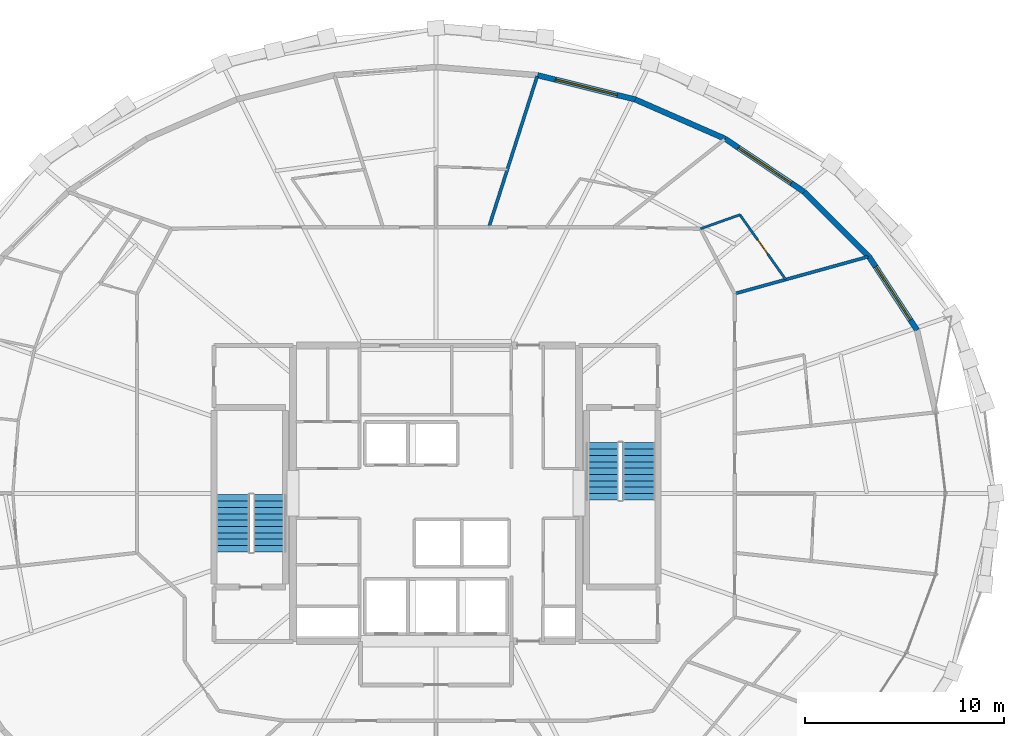
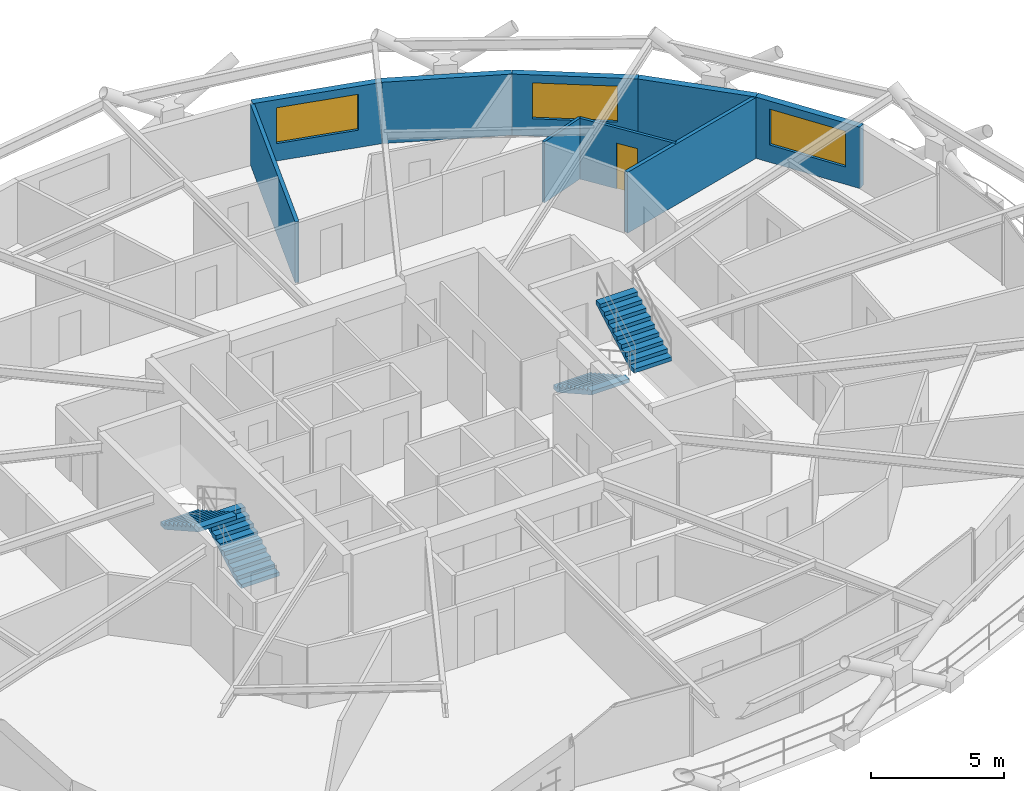
# One storey, part 18 of 19: 9 walls, 4 stair flights, 3 windows, 1 door, 4 openings, 2 elements without a shape of their own.
"""IFC4 building model written with IfcOpenShell, lengths in metres."""

from ifc_helpers import new_model, si_unit, direction, frame, frame_2d, origin, place, context, subcontext, project, spatial, polyline, rectangle, outline, extrude, material, layer, layer_set, type_object, element, fill, aggregate, save


model = new_model("IFC4")

# Units and contexts
model_context = context("Model", 3, precision=1e-05, world=origin(), true_north=direction((0.0, 1.0)))
body_context = subcontext(model_context, "Body", "Model", "MODEL_VIEW")
ifc_project = project(units=[si_unit("LENGTHUNIT", "METRE"), si_unit("AREAUNIT", "SQUARE_METRE"), si_unit("VOLUMEUNIT", "CUBIC_METRE"), si_unit("PLANEANGLEUNIT", "RADIAN"), si_unit("MASSUNIT", "GRAM", prefix="KILO")], contexts=[model_context])

# Site, building, storey
site_placement = place(None, origin())
site = spatial("IfcSite", under=ifc_project, at=site_placement, CompositionType="ELEMENT")
building_placement = place(site_placement, origin())
building = spatial("IfcBuilding", under=site, at=building_placement, Name="Veldorina Hangang Commons", CompositionType="ELEMENT")
storey_placement = place(building_placement, frame((0.0, 0.0, 160.39990234375)))
storey = spatial("IfcBuildingStorey", under=building, at=storey_placement, Name="L41", CompositionType="ELEMENT", Elevation=160.39990234375)

# Wall, opening, window
ifc_material_1 = material(Name="Stone Roman Travertine", Category="masonry")
ifc_layer_1 = layer(ifc_material_1, 0.280029296875)
ifc_layer_set_1 = layer_set([ifc_layer_1], Name="Stone Roman Travertine")
wall_type_1 = type_object("IfcWallType", Name="EW-TRAV-280", PredefinedType="STANDARD", material=ifc_layer_set_1)
wall_1_placement = place(storey_placement, frame((56.232421875, 32.217041015625, 0.0), z_axis=(0.0, 0.0, 1.0), x_axis=(-0.546719569092, 0.837315778409, 0.0)))
wall_1 = element("IfcWall", 1, at=wall_1_placement, inside=storey, type_object=wall_type_1, Name="L41 travertine facade wall 02", PredefinedType="STANDARD", context=body_context, shape_type="SweptSolid", body=[
    extrude(rectangle(XDim=4.433349609375, YDim=0.280029296875, at=frame_2d((2.216796875, 0.0))), origin(), (0.0, 0.0, 1.0), 2.820068359375),
])
opening_1_placement = place(wall_1_placement, frame((0.61669921875, 0.0, 0.800048828125)))
opening_1 = element("IfcOpeningElement", 2, at=opening_1_placement, cuts=wall_1, Name="Opening W-01", PredefinedType="OPENING", context=body_context, shape_type="SweptSolid", body=[
    extrude(rectangle(XDim=3.199951171875, YDim=1.64990234375, at=frame_2d((1.60009765625, 0.824951171875))), frame((0.0, 0.14990234375, 0.0), z_axis=(0.0, -1.0, 0.0), x_axis=(1.0, 0.0, 0.0)), (0.0, 0.0, 1.0), 0.300048828125),
])
ifc_material_2 = material(Name="Glass Low-E Triple IGU", Category="glass")
window_type = type_object("IfcWindowType", Name="WIN-TWR-3200", PartitioningType="SINGLE_PANEL", PredefinedType="WINDOW", material=ifc_material_2)
window_1_placement = place(opening_1_placement, origin())
window_1 = element("IfcWindow", 3, at=window_1_placement, inside=storey, type_object=window_type, Name="L41 facade window 02", OverallHeight=1.64990234375, OverallWidth=3.199951171875, PartitioningType="SINGLE_PANEL", PredefinedType="WINDOW", context=body_context, shape_type="SweptSolid", body=[
    extrude(rectangle(XDim=3.199951171875, YDim=1.64990234375, at=frame_2d((1.60009765625, 0.824951171875))), frame((0.0, 0.030029296875, 0.0), z_axis=(0.0, -1.0, 0.0), x_axis=(1.0, 0.0, 0.0)), (0.0, 0.0, 1.0), 0.06005859375),
])
fill(opening_1, window_1)

# Wall
wall_2_placement = place(storey_placement, frame((53.80859375, 35.92919921875, 0.0), z_axis=(0.0, 0.0, 1.0), x_axis=(-0.707980552396, 0.706231928922, 0.0)))
element("IfcWall", 4, at=wall_2_placement, inside=storey, type_object=wall_type_1, Name="L41 travertine facade wall 03", PredefinedType="STANDARD", context=body_context, shape_type="SweptSolid", body=[
    extrude(rectangle(XDim=4.607421875, YDim=0.280029296875, at=frame_2d((2.3037109375, 0.0))), origin(), (0.0, 0.0, 1.0), 2.820068359375),
])

# Wall, opening, window
wall_3_placement = place(storey_placement, frame((50.546630859375, 39.18310546875, 0.0), z_axis=(0.0, 0.0, 1.0), x_axis=(-0.830052550014, 0.557685183787, 0.0)))
wall_3 = element("IfcWall", 5, at=wall_3_placement, inside=storey, type_object=wall_type_1, Name="L41 travertine facade wall 04", PredefinedType="STANDARD", context=body_context, shape_type="SweptSolid", body=[
    extrude(rectangle(XDim=4.788330078125, YDim=0.280029296875, at=frame_2d((2.39404296875, 0.0))), origin(), (0.0, 0.0, 1.0), 2.820068359375),
])
opening_2_placement = place(wall_3_placement, frame((0.794189453125, 0.0, 0.800048828125)))
opening_2 = element("IfcOpeningElement", 6, at=opening_2_placement, cuts=wall_3, Name="Opening W-01", PredefinedType="OPENING", context=body_context, shape_type="SweptSolid", body=[
    extrude(rectangle(XDim=3.199951171875, YDim=1.64990234375, at=frame_2d((1.60009765625, 0.824951171875))), frame((0.0, 0.14990234375, 0.0), z_axis=(0.0, -1.0, 0.0), x_axis=(1.0, 0.0, 0.0)), (0.0, 0.0, 1.0), 0.300048828125),
])
window_2_placement = place(opening_2_placement, origin())
window_2 = element("IfcWindow", 7, at=window_2_placement, inside=storey, type_object=window_type, Name="L41 facade window 04", OverallHeight=1.64990234375, OverallWidth=3.199951171875, PartitioningType="SINGLE_PANEL", PredefinedType="WINDOW", context=body_context, shape_type="SweptSolid", body=[
    extrude(rectangle(XDim=3.199951171875, YDim=1.64990234375, at=frame_2d((1.60009765625, 0.824951171875))), frame((0.0, 0.030029296875, 0.0), z_axis=(0.0, -1.0, 0.0), x_axis=(1.0, 0.0, 0.0)), (0.0, 0.0, 1.0), 0.06005859375),
])
fill(opening_2, window_2)

# Wall
wall_4_placement = place(storey_placement, frame((46.572021484375, 41.853515625, 0.0), z_axis=(0.0, 0.0, 1.0), x_axis=(-0.916141485862, 0.400855058447, 0.0)))
element("IfcWall", 8, at=wall_4_placement, inside=storey, type_object=wall_type_1, Name="L41 travertine facade wall 05", PredefinedType="STANDARD", context=body_context, shape_type="SweptSolid", body=[
    extrude(rectangle(XDim=4.94970703125, YDim=0.280029296875, at=frame_2d((2.474853515625, 0.0))), origin(), (0.0, 0.0, 1.0), 2.820068359375),
])

# Wall, opening, window
wall_5_placement = place(storey_placement, frame((42.037353515625, 43.837646484375, 0.0), z_axis=(0.0, 0.0, 1.0), x_axis=(-0.970520888712, 0.241017021336, 0.0)))
wall_5 = element("IfcWall", 9, at=wall_5_placement, inside=storey, type_object=wall_type_1, Name="L41 travertine facade wall 06", PredefinedType="STANDARD", context=body_context, shape_type="SweptSolid", body=[
    extrude(rectangle(XDim=5.06982421875, YDim=0.280029296875, at=frame_2d((2.534912109375, 0.0))), origin(), (0.0, 0.0, 1.0), 2.820068359375),
])
opening_3_placement = place(wall_5_placement, frame((0.934814453125, 0.0, 0.800048828125)))
opening_3 = element("IfcOpeningElement", 10, at=opening_3_placement, cuts=wall_5, Name="Opening W-01", PredefinedType="OPENING", context=body_context, shape_type="SweptSolid", body=[
    extrude(rectangle(XDim=3.199951171875, YDim=1.64990234375, at=frame_2d((1.60009765625, 0.824951171875))), frame((0.0, 0.14990234375, 0.0), z_axis=(0.0, -1.0, 0.0), x_axis=(1.0, 0.0, 0.0)), (0.0, 0.0, 1.0), 0.300048828125),
])
window_3_placement = place(opening_3_placement, origin())
window_3 = element("IfcWindow", 11, at=window_3_placement, inside=storey, type_object=window_type, Name="L41 facade window 06", OverallHeight=1.64990234375, OverallWidth=3.199951171875, PartitioningType="SINGLE_PANEL", PredefinedType="WINDOW", context=body_context, shape_type="SweptSolid", body=[
    extrude(rectangle(XDim=3.199951171875, YDim=1.64990234375, at=frame_2d((1.60009765625, 0.824951171875))), frame((0.0, 0.030029296875, 0.0), z_axis=(0.0, -1.0, 0.0), x_axis=(1.0, 0.0, 0.0)), (0.0, 0.0, 1.0), 0.06005859375),
])
fill(opening_3, window_3)

# Walls
ifc_material_3 = material(Name="Gypsum Fire-Rated Twin Stud Wall", Category="gypsum")
ifc_layer_2 = layer(ifc_material_3, 0.159912109375)
ifc_layer_set_2 = layer_set([ifc_layer_2], Name="Gypsum Fire-Rated Twin Stud Wall")
wall_type_2 = type_object("IfcWallType", Name="WL-FIRE-160", PredefinedType="SOLIDWALL", material=ifc_layer_set_2)
wall_6_placement = place(storey_placement, frame((47.050048828125, 34.05615234375, 0.0), z_axis=(0.0, 0.0, 1.0), x_axis=(0.963668952893, 0.267099511848, 0.0)))
element("IfcWall", 12, at=wall_6_placement, inside=storey, type_object=wall_type_2, Name="L41 Unit party wall 03 093", PredefinedType="SOLIDWALL", context=body_context, shape_type="SweptSolid", body=[
    extrude(rectangle(XDim=6.963134765625, YDim=0.159912109375, at=frame_2d((3.4814453125, 0.0))), origin(), (0.0, 0.0, 1.0), 2.800048828125),
])
wall_7_placement = place(storey_placement, frame((34.665283203125, 37.39990234375, 0.0), z_axis=(0.0, 0.0, 1.0), x_axis=(0.304851094137, 0.952400026461, 0.0)))
element("IfcWall", 13, at=wall_7_placement, inside=storey, type_object=wall_type_2, Name="L41 Unit party wall 07 099", PredefinedType="SOLIDWALL", context=body_context, shape_type="SweptSolid", body=[
    extrude(rectangle(XDim=7.992431640625, YDim=0.159912109375, at=frame_2d((3.99609375, 0.0))), origin(), (0.0, 0.0, 1.0), 2.800048828125),
])

# Wall, opening, door
ifc_material_4 = material(Name="Gypsum Acoustic Stud Partition", Category="gypsum")
ifc_layer_3 = layer(ifc_material_4, 0.1201171875)
ifc_layer_set_3 = layer_set([ifc_layer_3], Name="Gypsum Acoustic Stud Partition")
wall_type_3 = type_object("IfcWallType", Name="WL-PART-120", PredefinedType="PARTITIONING", material=ifc_layer_set_3)
wall_8_placement = place(storey_placement, frame((49.6181640625, 34.767822265625, 0.0), z_axis=(0.0, 0.0, 1.0), x_axis=(-0.577627537934, 0.816300451684, 0.0)))
wall_8 = element("IfcWall", 14, at=wall_8_placement, inside=storey, type_object=wall_type_3, Name="L41 Studio 5 bath front wall 094", PredefinedType="PARTITIONING", context=body_context, shape_type="SweptSolid", body=[
    extrude(rectangle(XDim=3.99755859375, YDim=0.1201171875, at=frame_2d((1.998779296875, 0.0))), origin(), (0.0, 0.0, 1.0), 2.800048828125),
])
opening_4_placement = place(wall_8_placement, frame((1.56884765625, 0.0, 0.0)))
opening_4 = element("IfcOpeningElement", 15, at=opening_4_placement, cuts=wall_8, Name="Opening D-01", PredefinedType="OPENING", context=body_context, shape_type="SweptSolid", body=[
    extrude(rectangle(XDim=0.860107421875, YDim=2.10009765625, at=frame_2d((0.43017578125, 1.050048828125))), frame((0.0, 0.070068359375, 0.0), z_axis=(0.0, -1.0, 0.0), x_axis=(1.0, 0.0, 0.0)), (0.0, 0.0, 1.0), 0.14013671875),
])
ifc_material_5 = material(Name="Timber Moisture-Resistant Core", Category="wood")
door_type = type_object("IfcDoorType", Name="DR-WET-860", OperationType="SINGLE_SWING_LEFT", PredefinedType="DOOR", material=ifc_material_5)
door_placement = place(opening_4_placement, origin())
door = element("IfcDoor", 16, at=door_placement, inside=storey, type_object=door_type, Name="L41 Studio 5 bathroom door 028", OperationType="SINGLE_SWING_RIGHT", OverallHeight=2.10009765625, OverallWidth=0.860107421875, PredefinedType="DOOR", context=body_context, shape_type="SweptSolid", body=[
    extrude(rectangle(XDim=0.860107421875, YDim=2.10009765625, at=frame_2d((0.43017578125, 1.050048828125))), frame((0.0, 0.02490234375, 0.0), z_axis=(0.0, -1.0, 0.0), x_axis=(1.0, 0.0, 0.0)), (0.0, 0.0, 1.0), 0.050048828125),
])
fill(opening_4, door)

# Wall
wall_9_placement = place(storey_placement, frame((45.324951171875, 37.324951171875, 0.0), z_axis=(0.0, 0.0, 1.0), x_axis=(0.942126837069, 0.335256652246, 0.0)))
element("IfcWall", 17, at=wall_9_placement, inside=storey, type_object=wall_type_3, Name="L41 Studio 5 bath side wall 095", PredefinedType="PARTITIONING", context=body_context, shape_type="SweptSolid", body=[
    extrude(rectangle(XDim=2.10595703125, YDim=0.1201171875, at=frame_2d((1.052978515625, 0.0))), origin(), (0.0, 0.0, 1.0), 2.800048828125),
])

# Stair, stair flights
ifc_material_6 = material(Name="Concrete C40/50", Category="concrete")
stair_type = type_object("IfcStairType", Name="STR-DOG-1650-20R", PredefinedType="HALF_TURN_STAIR", material=ifc_material_6)
stair_1_placement = place(storey_placement, origin())
stair_1 = element("IfcStair", 18, at=stair_1_placement, inside=storey, type_object=stair_type, Name="L41 Exit stair ST-1", PredefinedType="HALF_TURN_STAIR")
stair_flight_type = type_object("IfcStairFlightType", Name="SFL-STR-1650-20R", PredefinedType="STRAIGHT", material=ifc_material_6)
stair_flight_1_placement = place(storey_placement, frame((23.625, 21.050048828125, 0.0), z_axis=(0.0, 0.0, 1.0), x_axis=(0.0, 1.0, 0.0)))
stair_flight_1 = element("IfcStairFlight", 19, at=stair_flight_1_placement, type_object=stair_flight_type, Name="ST-1 flight 1", NumberOfRisers=10, NumberOfTreads=9, PredefinedType="STRAIGHT", RiserHeight=0.18, TreadLength=0.32, context=body_context, shape_type="SweptSolid", body=[
    extrude(outline(polyline([(0.0, 0.0), (0.0, 0.179931640625), (0.320068359375, 0.179931640625), (0.320068359375, 0.360107421875), (0.639892578125, 0.360107421875), (0.639892578125, 0.5400390625), (0.9599609375, 0.5400390625), (0.9599609375, 0.719970703125), (1.280029296875, 0.719970703125), (1.280029296875, 0.89990234375), (1.60009765625, 0.89990234375), (1.60009765625, 1.080078125), (1.919921875, 1.080078125), (1.919921875, 1.260009765625), (2.239990234375, 1.260009765625), (2.239990234375, 1.43994140625), (2.56005859375, 1.43994140625), (2.56005859375, 1.6201171875), (2.8798828125, 1.6201171875), (2.8798828125, 1.800048828125), (2.8798828125, 1.447998046875), (0.3056640625, 0.0), (0.0, 0.0)])), frame((0.0, 0.824951171875, 0.0), z_axis=(0.0, -1.0, 0.0), x_axis=(1.0, 0.0, 0.0)), (0.0, 0.0, 1.0), 1.64990234375),
])
stair_flight_2_placement = place(storey_placement, frame((21.77490234375, 23.929931640625, 1.800048828125), z_axis=(0.0, 0.0, 1.0), x_axis=(0.0, -1.0, 0.0)))
stair_flight_2 = element("IfcStairFlight", 20, at=stair_flight_2_placement, type_object=stair_flight_type, Name="ST-1 flight 2", NumberOfRisers=10, NumberOfTreads=9, PredefinedType="STRAIGHT", RiserHeight=0.18, TreadLength=0.32, context=body_context, shape_type="SweptSolid", body=[
    extrude(outline(polyline([(0.0, 0.0), (0.0, 0.179931640625), (0.320068359375, 0.179931640625), (0.320068359375, 0.360107421875), (0.639892578125, 0.360107421875), (0.639892578125, 0.5400390625), (0.9599609375, 0.5400390625), (0.9599609375, 0.719970703125), (1.280029296875, 0.719970703125), (1.280029296875, 0.89990234375), (1.60009765625, 0.89990234375), (1.60009765625, 1.080078125), (1.919921875, 1.080078125), (1.919921875, 1.260009765625), (2.239990234375, 1.260009765625), (2.239990234375, 1.43994140625), (2.56005859375, 1.43994140625), (2.56005859375, 1.6201171875), (2.8798828125, 1.6201171875), (2.8798828125, 1.800048828125), (2.8798828125, 1.447998046875), (0.3056640625, 0.0), (0.0, 0.0)])), frame((0.0, 0.824951171875, 0.0), z_axis=(0.0, -1.0, 0.0), x_axis=(1.0, 0.0, 0.0)), (0.0, 0.0, 1.0), 1.64990234375),
])
aggregate(stair_1, [stair_flight_1, stair_flight_2])

stair_2_placement = place(storey_placement, origin())
stair_2 = element("IfcStair", 21, at=stair_2_placement, inside=storey, type_object=stair_type, Name="L41 Exit stair ST-2", PredefinedType="HALF_TURN_STAIR")
stair_flight_3_placement = place(storey_placement, frame((40.375, 26.550048828125, 0.0), z_axis=(0.0, 0.0, 1.0), x_axis=(0.0, -1.0, 0.0)))
stair_flight_3 = element("IfcStairFlight", 22, at=stair_flight_3_placement, type_object=stair_flight_type, Name="ST-2 flight 1", NumberOfRisers=10, NumberOfTreads=9, PredefinedType="STRAIGHT", RiserHeight=0.18, TreadLength=0.32, context=body_context, shape_type="SweptSolid", body=[
    extrude(outline(polyline([(0.0, 0.0), (0.0, 0.179931640625), (0.320068359375, 0.179931640625), (0.320068359375, 0.360107421875), (0.639892578125, 0.360107421875), (0.639892578125, 0.5400390625), (0.9599609375, 0.5400390625), (0.9599609375, 0.719970703125), (1.280029296875, 0.719970703125), (1.280029296875, 0.89990234375), (1.60009765625, 0.89990234375), (1.60009765625, 1.080078125), (1.919921875, 1.080078125), (1.919921875, 1.260009765625), (2.239990234375, 1.260009765625), (2.239990234375, 1.43994140625), (2.56005859375, 1.43994140625), (2.56005859375, 1.6201171875), (2.8798828125, 1.6201171875), (2.8798828125, 1.800048828125), (2.8798828125, 1.447998046875), (0.3056640625, 0.0), (0.0, 0.0)])), frame((0.0, 0.824951171875, 0.0), z_axis=(0.0, -1.0, 0.0), x_axis=(1.0, 0.0, 0.0)), (0.0, 0.0, 1.0), 1.64990234375),
])
stair_flight_4_placement = place(storey_placement, frame((42.22509765625, 23.669921875, 1.800048828125), z_axis=(0.0, 0.0, 1.0), x_axis=(0.0, 1.0, 0.0)))
stair_flight_4 = element("IfcStairFlight", 23, at=stair_flight_4_placement, type_object=stair_flight_type, Name="ST-2 flight 2", NumberOfRisers=10, NumberOfTreads=9, PredefinedType="STRAIGHT", RiserHeight=0.18, TreadLength=0.32, context=body_context, shape_type="SweptSolid", body=[
    extrude(outline(polyline([(0.0, 0.0), (0.0, 0.179931640625), (0.320068359375, 0.179931640625), (0.320068359375, 0.360107421875), (0.639892578125, 0.360107421875), (0.639892578125, 0.5400390625), (0.9599609375, 0.5400390625), (0.9599609375, 0.719970703125), (1.280029296875, 0.719970703125), (1.280029296875, 0.89990234375), (1.60009765625, 0.89990234375), (1.60009765625, 1.080078125), (1.919921875, 1.080078125), (1.919921875, 1.260009765625), (2.239990234375, 1.260009765625), (2.239990234375, 1.43994140625), (2.56005859375, 1.43994140625), (2.56005859375, 1.6201171875), (2.8798828125, 1.6201171875), (2.8798828125, 1.800048828125), (2.8798828125, 1.447998046875), (0.3056640625, 0.0), (0.0, 0.0)])), frame((0.0, 0.824951171875, 0.0), z_axis=(0.0, -1.0, 0.0), x_axis=(1.0, 0.0, 0.0)), (0.0, 0.0, 1.0), 1.64990234375),
])
aggregate(stair_2, [stair_flight_3, stair_flight_4])

save(model, "model.ifc")
